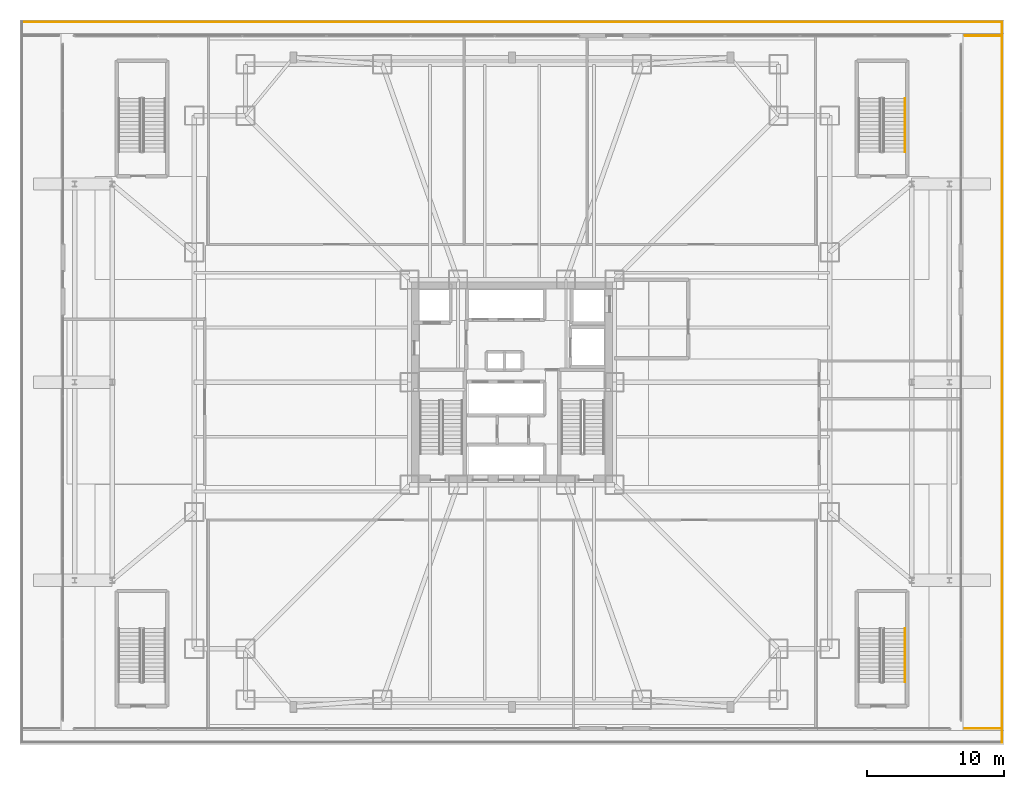
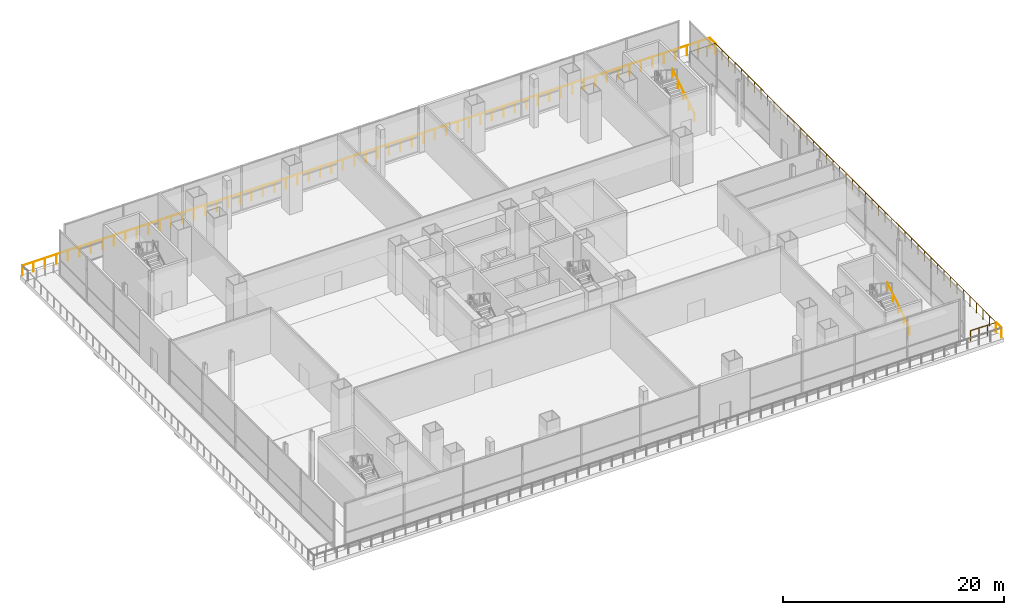
# One storey, part 36 of 36: 8 railings.
"""IFC4 building model written with IfcOpenShell, lengths in metres."""

from ifc_helpers import new_model, si_unit, direction, frame, origin, origin_2d, place, context, subcontext, project, spatial, circle, extrude, material, type_object, element, save


model = new_model("IFC4")

# Units and contexts
model_context = context("Model", 3, precision=1e-05, world=origin(), true_north=direction((0.0, 1.0)))
body_context = subcontext(model_context, "Body", "Model", "MODEL_VIEW")
ifc_project = project(units=[si_unit("LENGTHUNIT", "METRE"), si_unit("AREAUNIT", "SQUARE_METRE"), si_unit("VOLUMEUNIT", "CUBIC_METRE"), si_unit("PLANEANGLEUNIT", "RADIAN"), si_unit("MASSUNIT", "GRAM", prefix="KILO")], contexts=[model_context])

# Site, building, storey
site_placement = place(None, origin())
site = spatial("IfcSite", under=ifc_project, at=site_placement, CompositionType="ELEMENT")
building_placement = place(site_placement, origin())
building = spatial("IfcBuilding", under=site, at=building_placement, Name="Trevonay Congress Spire", CompositionType="ELEMENT")
storey_placement = place(building_placement, frame((0.0, 0.0, 16.199951171875)))
storey = spatial("IfcBuildingStorey", under=building, at=storey_placement, Name="L03", CompositionType="ELEMENT", Elevation=16.199951171875)

# Railings
ifc_material = material(Name="Pale Anodised Aluminium EN AW-6063-T6", Category="aluminium")
railing_type_1 = type_object("IfcRailingType", Name="RAL-EXT-GUARD-115", PredefinedType="GUARDRAIL", material=ifc_material)
railing_1_placement = place(storey_placement, frame((33.14990234375, -25.35009765625, 0.0)))
element("IfcRailing", 1, at=railing_1_placement, inside=storey, type_object=railing_type_1, Name="L03 perimeter safety guard GRD-L03-TER-E-1", PredefinedType="GUARDRAIL", context=body_context, shape_type="SweptSolid", body=[
    extrude(circle(Radius=0.02392578125, at=origin_2d()), frame((0.0, 0.0, 1.1259765625), z_axis=(1.0, 0.0, 0.0), x_axis=(0.0, 1.0, 0.0)), (0.0, 0.0, 1.0), 2.7001953125),
    extrude(circle(Radius=0.02099609375, at=origin_2d()), origin(), (0.0, 0.0, 1.0), 1.101806640625),
    extrude(circle(Radius=0.02099609375, at=origin_2d()), frame((0.900146484375, 0.0, 0.0)), (0.0, 0.0, 1.0), 1.101806640625),
    extrude(circle(Radius=0.02099609375, at=origin_2d()), frame((1.800048828125, 0.0, 0.0)), (0.0, 0.0, 1.0), 1.101806640625),
    extrude(circle(Radius=0.02099609375, at=origin_2d()), frame((2.7001953125, 0.0, 0.0)), (0.0, 0.0, 1.0), 1.101806640625),
])
railing_2_placement = place(storey_placement, frame((35.85009765625, -25.35009765625, 0.0)))
element("IfcRailing", 2, at=railing_2_placement, inside=storey, type_object=railing_type_1, Name="L03 perimeter safety guard GRD-L03-TER-E-2", PredefinedType="GUARDRAIL", context=body_context, shape_type="SweptSolid", body=[
    extrude(circle(Radius=0.02392578125, at=origin_2d()), frame((0.0, 0.0, 1.1259765625), z_axis=(0.0, 1.0, 0.0), x_axis=(-1.0, 0.0, 0.0)), (0.0, 0.0, 1.0), 50.7001953125),
    extrude(circle(Radius=0.02099609375, at=origin_2d()), origin(), (0.0, 0.0, 1.0), 1.101806640625),
    extrude(circle(Radius=0.02099609375, at=origin_2d()), frame((0.0, 1.178955078125, 0.0)), (0.0, 0.0, 1.0), 1.101806640625),
    extrude(circle(Radius=0.02099609375, at=origin_2d()), frame((0.0, 2.358154296875, 0.0)), (0.0, 0.0, 1.0), 1.101806640625),
    extrude(circle(Radius=0.02099609375, at=origin_2d()), frame((0.0, 3.537109375, 0.0)), (0.0, 0.0, 1.0), 1.101806640625),
    extrude(circle(Radius=0.02099609375, at=origin_2d()), frame((0.0, 4.71630859375, 0.0)), (0.0, 0.0, 1.0), 1.101806640625),
    extrude(circle(Radius=0.02099609375, at=origin_2d()), frame((0.0, 5.895263671875, 0.0)), (0.0, 0.0, 1.0), 1.101806640625),
    extrude(circle(Radius=0.02099609375, at=origin_2d()), frame((0.0, 7.074462890625, 0.0)), (0.0, 0.0, 1.0), 1.101806640625),
    extrude(circle(Radius=0.02099609375, at=origin_2d()), frame((0.0, 8.25341796875, 0.0)), (0.0, 0.0, 1.0), 1.101806640625),
    extrude(circle(Radius=0.02099609375, at=origin_2d()), frame((0.0, 9.4326171875, 0.0)), (0.0, 0.0, 1.0), 1.101806640625),
    extrude(circle(Radius=0.02099609375, at=origin_2d()), frame((0.0, 10.611572265625, 0.0)), (0.0, 0.0, 1.0), 1.101806640625),
    extrude(circle(Radius=0.02099609375, at=origin_2d()), frame((0.0, 11.790771484375, 0.0)), (0.0, 0.0, 1.0), 1.101806640625),
    extrude(circle(Radius=0.02099609375, at=origin_2d()), frame((0.0, 12.9697265625, 0.0)), (0.0, 0.0, 1.0), 1.101806640625),
    extrude(circle(Radius=0.02099609375, at=origin_2d()), frame((0.0, 14.14892578125, 0.0)), (0.0, 0.0, 1.0), 1.101806640625),
    extrude(circle(Radius=0.02099609375, at=origin_2d()), frame((0.0, 15.327880859375, 0.0)), (0.0, 0.0, 1.0), 1.101806640625),
    extrude(circle(Radius=0.02099609375, at=origin_2d()), frame((0.0, 16.507080078125, 0.0)), (0.0, 0.0, 1.0), 1.101806640625),
    extrude(circle(Radius=0.02099609375, at=origin_2d()), frame((0.0, 17.68603515625, 0.0)), (0.0, 0.0, 1.0), 1.101806640625),
    extrude(circle(Radius=0.02099609375, at=origin_2d()), frame((0.0, 18.865234375, 0.0)), (0.0, 0.0, 1.0), 1.101806640625),
    extrude(circle(Radius=0.02099609375, at=origin_2d()), frame((0.0, 20.044189453125, 0.0)), (0.0, 0.0, 1.0), 1.101806640625),
    extrude(circle(Radius=0.02099609375, at=origin_2d()), frame((0.0, 21.223388671875, 0.0)), (0.0, 0.0, 1.0), 1.101806640625),
    extrude(circle(Radius=0.02099609375, at=origin_2d()), frame((0.0, 22.40234375, 0.0)), (0.0, 0.0, 1.0), 1.101806640625),
    extrude(circle(Radius=0.02099609375, at=origin_2d()), frame((0.0, 23.58154296875, 0.0)), (0.0, 0.0, 1.0), 1.101806640625),
    extrude(circle(Radius=0.02099609375, at=origin_2d()), frame((0.0, 24.760498046875, 0.0)), (0.0, 0.0, 1.0), 1.101806640625),
    extrude(circle(Radius=0.02099609375, at=origin_2d()), frame((0.0, 25.939697265625, 0.0)), (0.0, 0.0, 1.0), 1.101806640625),
    extrude(circle(Radius=0.02099609375, at=origin_2d()), frame((0.0, 27.11865234375, 0.0)), (0.0, 0.0, 1.0), 1.101806640625),
    extrude(circle(Radius=0.02099609375, at=origin_2d()), frame((0.0, 28.2978515625, 0.0)), (0.0, 0.0, 1.0), 1.101806640625),
    extrude(circle(Radius=0.02099609375, at=origin_2d()), frame((0.0, 29.476806640625, 0.0)), (0.0, 0.0, 1.0), 1.101806640625),
    extrude(circle(Radius=0.02099609375, at=origin_2d()), frame((0.0, 30.656005859375, 0.0)), (0.0, 0.0, 1.0), 1.101806640625),
    extrude(circle(Radius=0.02099609375, at=origin_2d()), frame((0.0, 31.8349609375, 0.0)), (0.0, 0.0, 1.0), 1.101806640625),
    extrude(circle(Radius=0.02099609375, at=origin_2d()), frame((0.0, 33.01416015625, 0.0)), (0.0, 0.0, 1.0), 1.101806640625),
    extrude(circle(Radius=0.02099609375, at=origin_2d()), frame((0.0, 34.193115234375, 0.0)), (0.0, 0.0, 1.0), 1.101806640625),
    extrude(circle(Radius=0.02099609375, at=origin_2d()), frame((0.0, 35.372314453125, 0.0)), (0.0, 0.0, 1.0), 1.101806640625),
    extrude(circle(Radius=0.02099609375, at=origin_2d()), frame((0.0, 36.55126953125, 0.0)), (0.0, 0.0, 1.0), 1.101806640625),
    extrude(circle(Radius=0.02099609375, at=origin_2d()), frame((0.0, 37.73046875, 0.0)), (0.0, 0.0, 1.0), 1.101806640625),
    extrude(circle(Radius=0.02099609375, at=origin_2d()), frame((0.0, 38.909423828125, 0.0)), (0.0, 0.0, 1.0), 1.101806640625),
    extrude(circle(Radius=0.02099609375, at=origin_2d()), frame((0.0, 40.088623046875, 0.0)), (0.0, 0.0, 1.0), 1.101806640625),
    extrude(circle(Radius=0.02099609375, at=origin_2d()), frame((0.0, 41.267578125, 0.0)), (0.0, 0.0, 1.0), 1.101806640625),
    extrude(circle(Radius=0.02099609375, at=origin_2d()), frame((0.0, 42.44677734375, 0.0)), (0.0, 0.0, 1.0), 1.101806640625),
    extrude(circle(Radius=0.02099609375, at=origin_2d()), frame((0.0, 43.625732421875, 0.0)), (0.0, 0.0, 1.0), 1.101806640625),
    extrude(circle(Radius=0.02099609375, at=origin_2d()), frame((0.0, 44.804931640625, 0.0)), (0.0, 0.0, 1.0), 1.101806640625),
    extrude(circle(Radius=0.02099609375, at=origin_2d()), frame((0.0, 45.98388671875, 0.0)), (0.0, 0.0, 1.0), 1.101806640625),
    extrude(circle(Radius=0.02099609375, at=origin_2d()), frame((0.0, 47.1630859375, 0.0)), (0.0, 0.0, 1.0), 1.101806640625),
    extrude(circle(Radius=0.02099609375, at=origin_2d()), frame((0.0, 48.342041015625, 0.0)), (0.0, 0.0, 1.0), 1.101806640625),
    extrude(circle(Radius=0.02099609375, at=origin_2d()), frame((0.0, 49.521240234375, 0.0)), (0.0, 0.0, 1.0), 1.101806640625),
    extrude(circle(Radius=0.02099609375, at=origin_2d()), frame((0.0, 50.7001953125, 0.0)), (0.0, 0.0, 1.0), 1.101806640625),
])
railing_3_placement = place(storey_placement, frame((35.85009765625, 25.35009765625, 0.0)))
element("IfcRailing", 3, at=railing_3_placement, inside=storey, type_object=railing_type_1, Name="L03 perimeter safety guard GRD-L03-TER-E-3", PredefinedType="GUARDRAIL", context=body_context, shape_type="SweptSolid", body=[
    extrude(circle(Radius=0.02392578125, at=origin_2d()), frame((0.0, 0.0, 1.1259765625), z_axis=(-1.0, 0.0, 0.0), x_axis=(0.0, -1.0, 0.0)), (0.0, 0.0, 1.0), 2.7001953125),
    extrude(circle(Radius=0.02099609375, at=origin_2d()), origin(), (0.0, 0.0, 1.0), 1.101806640625),
    extrude(circle(Radius=0.02099609375, at=origin_2d()), frame((-0.900146484375, 0.0, 0.0)), (0.0, 0.0, 1.0), 1.101806640625),
    extrude(circle(Radius=0.02099609375, at=origin_2d()), frame((-1.800048828125, 0.0, 0.0)), (0.0, 0.0, 1.0), 1.101806640625),
    extrude(circle(Radius=0.02099609375, at=origin_2d()), frame((-2.7001953125, 0.0, 0.0)), (0.0, 0.0, 1.0), 1.101806640625),
])
railing_4_placement = place(storey_placement, frame((35.85009765625, -26.35009765625, 0.0)))
element("IfcRailing", 4, at=railing_4_placement, inside=storey, type_object=railing_type_1, Name="L03 perimeter safety guard GRD-L03-TER-S-3", PredefinedType="GUARDRAIL", context=body_context, shape_type="SweptSolid", body=[
    extrude(circle(Radius=0.02392578125, at=origin_2d()), frame((0.0, 0.0, 1.1259765625), z_axis=(0.0, 1.0, 0.0), x_axis=(-1.0, 0.0, 0.0)), (0.0, 0.0, 1.0), 1.0),
    extrude(circle(Radius=0.02099609375, at=origin_2d()), origin(), (0.0, 0.0, 1.0), 1.101806640625),
    extrude(circle(Radius=0.02099609375, at=origin_2d()), frame((0.0, 1.0, 0.0)), (0.0, 0.0, 1.0), 1.101806640625),
])
railing_5_placement = place(storey_placement, frame((-35.85009765625, 26.35009765625, 0.0)))
element("IfcRailing", 5, at=railing_5_placement, inside=storey, type_object=railing_type_1, Name="L03 perimeter safety guard GRD-L03-TER-N-2", PredefinedType="GUARDRAIL", context=body_context, shape_type="SweptSolid", body=[
    extrude(circle(Radius=0.02392578125, at=origin_2d()), frame((0.0, 0.0, 1.1259765625), z_axis=(1.0, 0.0, 0.0), x_axis=(0.0, 1.0, 0.0)), (0.0, 0.0, 1.0), 71.7001953125),
    extrude(circle(Radius=0.02099609375, at=origin_2d()), origin(), (0.0, 0.0, 1.0), 1.101806640625),
    extrude(circle(Radius=0.02099609375, at=origin_2d()), frame((1.195068359375, 0.0, 0.0)), (0.0, 0.0, 1.0), 1.101806640625),
    extrude(circle(Radius=0.02099609375, at=origin_2d()), frame((2.389892578125, 0.0, 0.0)), (0.0, 0.0, 1.0), 1.101806640625),
    extrude(circle(Radius=0.02099609375, at=origin_2d()), frame((3.5849609375, 0.0, 0.0)), (0.0, 0.0, 1.0), 1.101806640625),
    extrude(circle(Radius=0.02099609375, at=origin_2d()), frame((4.780029296875, 0.0, 0.0)), (0.0, 0.0, 1.0), 1.101806640625),
    extrude(circle(Radius=0.02099609375, at=origin_2d()), frame((5.97509765625, 0.0, 0.0)), (0.0, 0.0, 1.0), 1.101806640625),
    extrude(circle(Radius=0.02099609375, at=origin_2d()), frame((7.169921875, 0.0, 0.0)), (0.0, 0.0, 1.0), 1.101806640625),
    extrude(circle(Radius=0.02099609375, at=origin_2d()), frame((8.364990234375, 0.0, 0.0)), (0.0, 0.0, 1.0), 1.101806640625),
    extrude(circle(Radius=0.02099609375, at=origin_2d()), frame((9.56005859375, 0.0, 0.0)), (0.0, 0.0, 1.0), 1.101806640625),
    extrude(circle(Radius=0.02099609375, at=origin_2d()), frame((10.755126953125, 0.0, 0.0)), (0.0, 0.0, 1.0), 1.101806640625),
    extrude(circle(Radius=0.02099609375, at=origin_2d()), frame((11.949951171875, 0.0, 0.0)), (0.0, 0.0, 1.0), 1.101806640625),
    extrude(circle(Radius=0.02099609375, at=origin_2d()), frame((13.14501953125, 0.0, 0.0)), (0.0, 0.0, 1.0), 1.101806640625),
    extrude(circle(Radius=0.02099609375, at=origin_2d()), frame((14.340087890625, 0.0, 0.0)), (0.0, 0.0, 1.0), 1.101806640625),
    extrude(circle(Radius=0.02099609375, at=origin_2d()), frame((15.53515625, 0.0, 0.0)), (0.0, 0.0, 1.0), 1.101806640625),
    extrude(circle(Radius=0.02099609375, at=origin_2d()), frame((16.72998046875, 0.0, 0.0)), (0.0, 0.0, 1.0), 1.101806640625),
    extrude(circle(Radius=0.02099609375, at=origin_2d()), frame((17.925048828125, 0.0, 0.0)), (0.0, 0.0, 1.0), 1.101806640625),
    extrude(circle(Radius=0.02099609375, at=origin_2d()), frame((19.1201171875, 0.0, 0.0)), (0.0, 0.0, 1.0), 1.101806640625),
    extrude(circle(Radius=0.02099609375, at=origin_2d()), frame((20.31494140625, 0.0, 0.0)), (0.0, 0.0, 1.0), 1.101806640625),
    extrude(circle(Radius=0.02099609375, at=origin_2d()), frame((21.510009765625, 0.0, 0.0)), (0.0, 0.0, 1.0), 1.101806640625),
    extrude(circle(Radius=0.02099609375, at=origin_2d()), frame((22.705078125, 0.0, 0.0)), (0.0, 0.0, 1.0), 1.101806640625),
    extrude(circle(Radius=0.02099609375, at=origin_2d()), frame((23.900146484375, 0.0, 0.0)), (0.0, 0.0, 1.0), 1.101806640625),
    extrude(circle(Radius=0.02099609375, at=origin_2d()), frame((25.094970703125, 0.0, 0.0)), (0.0, 0.0, 1.0), 1.101806640625),
    extrude(circle(Radius=0.02099609375, at=origin_2d()), frame((26.2900390625, 0.0, 0.0)), (0.0, 0.0, 1.0), 1.101806640625),
    extrude(circle(Radius=0.02099609375, at=origin_2d()), frame((27.485107421875, 0.0, 0.0)), (0.0, 0.0, 1.0), 1.101806640625),
    extrude(circle(Radius=0.02099609375, at=origin_2d()), frame((28.68017578125, 0.0, 0.0)), (0.0, 0.0, 1.0), 1.101806640625),
    extrude(circle(Radius=0.02099609375, at=origin_2d()), frame((29.875, 0.0, 0.0)), (0.0, 0.0, 1.0), 1.101806640625),
    extrude(circle(Radius=0.02099609375, at=origin_2d()), frame((31.070068359375, 0.0, 0.0)), (0.0, 0.0, 1.0), 1.101806640625),
    extrude(circle(Radius=0.02099609375, at=origin_2d()), frame((32.26513671875, 0.0, 0.0)), (0.0, 0.0, 1.0), 1.101806640625),
    extrude(circle(Radius=0.02099609375, at=origin_2d()), frame((33.460205078125, 0.0, 0.0)), (0.0, 0.0, 1.0), 1.101806640625),
    extrude(circle(Radius=0.02099609375, at=origin_2d()), frame((34.655029296875, 0.0, 0.0)), (0.0, 0.0, 1.0), 1.101806640625),
    extrude(circle(Radius=0.02099609375, at=origin_2d()), frame((35.85009765625, 0.0, 0.0)), (0.0, 0.0, 1.0), 1.101806640625),
    extrude(circle(Radius=0.02099609375, at=origin_2d()), frame((37.045166015625, 0.0, 0.0)), (0.0, 0.0, 1.0), 1.101806640625),
    extrude(circle(Radius=0.02099609375, at=origin_2d()), frame((38.239990234375, 0.0, 0.0)), (0.0, 0.0, 1.0), 1.101806640625),
    extrude(circle(Radius=0.02099609375, at=origin_2d()), frame((39.43505859375, 0.0, 0.0)), (0.0, 0.0, 1.0), 1.101806640625),
    extrude(circle(Radius=0.02099609375, at=origin_2d()), frame((40.630126953125, 0.0, 0.0)), (0.0, 0.0, 1.0), 1.101806640625),
    extrude(circle(Radius=0.02099609375, at=origin_2d()), frame((41.8251953125, 0.0, 0.0)), (0.0, 0.0, 1.0), 1.101806640625),
    extrude(circle(Radius=0.02099609375, at=origin_2d()), frame((43.02001953125, 0.0, 0.0)), (0.0, 0.0, 1.0), 1.101806640625),
    extrude(circle(Radius=0.02099609375, at=origin_2d()), frame((44.215087890625, 0.0, 0.0)), (0.0, 0.0, 1.0), 1.101806640625),
    extrude(circle(Radius=0.02099609375, at=origin_2d()), frame((45.41015625, 0.0, 0.0)), (0.0, 0.0, 1.0), 1.101806640625),
    extrude(circle(Radius=0.02099609375, at=origin_2d()), frame((46.605224609375, 0.0, 0.0)), (0.0, 0.0, 1.0), 1.101806640625),
    extrude(circle(Radius=0.02099609375, at=origin_2d()), frame((47.800048828125, 0.0, 0.0)), (0.0, 0.0, 1.0), 1.101806640625),
    extrude(circle(Radius=0.02099609375, at=origin_2d()), frame((48.9951171875, 0.0, 0.0)), (0.0, 0.0, 1.0), 1.101806640625),
    extrude(circle(Radius=0.02099609375, at=origin_2d()), frame((50.190185546875, 0.0, 0.0)), (0.0, 0.0, 1.0), 1.101806640625),
    extrude(circle(Radius=0.02099609375, at=origin_2d()), frame((51.38525390625, 0.0, 0.0)), (0.0, 0.0, 1.0), 1.101806640625),
    extrude(circle(Radius=0.02099609375, at=origin_2d()), frame((52.580078125, 0.0, 0.0)), (0.0, 0.0, 1.0), 1.101806640625),
    extrude(circle(Radius=0.02099609375, at=origin_2d()), frame((53.775146484375, 0.0, 0.0)), (0.0, 0.0, 1.0), 1.101806640625),
    extrude(circle(Radius=0.02099609375, at=origin_2d()), frame((54.97021484375, 0.0, 0.0)), (0.0, 0.0, 1.0), 1.101806640625),
    extrude(circle(Radius=0.02099609375, at=origin_2d()), frame((56.1650390625, 0.0, 0.0)), (0.0, 0.0, 1.0), 1.101806640625),
    extrude(circle(Radius=0.02099609375, at=origin_2d()), frame((57.360107421875, 0.0, 0.0)), (0.0, 0.0, 1.0), 1.101806640625),
    extrude(circle(Radius=0.02099609375, at=origin_2d()), frame((58.55517578125, 0.0, 0.0)), (0.0, 0.0, 1.0), 1.101806640625),
    extrude(circle(Radius=0.02099609375, at=origin_2d()), frame((59.750244140625, 0.0, 0.0)), (0.0, 0.0, 1.0), 1.101806640625),
    extrude(circle(Radius=0.02099609375, at=origin_2d()), frame((60.945068359375, 0.0, 0.0)), (0.0, 0.0, 1.0), 1.101806640625),
    extrude(circle(Radius=0.02099609375, at=origin_2d()), frame((62.14013671875, 0.0, 0.0)), (0.0, 0.0, 1.0), 1.101806640625),
    extrude(circle(Radius=0.02099609375, at=origin_2d()), frame((63.335205078125, 0.0, 0.0)), (0.0, 0.0, 1.0), 1.101806640625),
    extrude(circle(Radius=0.02099609375, at=origin_2d()), frame((64.5302734375, 0.0, 0.0)), (0.0, 0.0, 1.0), 1.101806640625),
    extrude(circle(Radius=0.02099609375, at=origin_2d()), frame((65.72509765625, 0.0, 0.0)), (0.0, 0.0, 1.0), 1.101806640625),
    extrude(circle(Radius=0.02099609375, at=origin_2d()), frame((66.920166015625, 0.0, 0.0)), (0.0, 0.0, 1.0), 1.101806640625),
    extrude(circle(Radius=0.02099609375, at=origin_2d()), frame((68.115234375, 0.0, 0.0)), (0.0, 0.0, 1.0), 1.101806640625),
    extrude(circle(Radius=0.02099609375, at=origin_2d()), frame((69.310302734375, 0.0, 0.0)), (0.0, 0.0, 1.0), 1.101806640625),
    extrude(circle(Radius=0.02099609375, at=origin_2d()), frame((70.505126953125, 0.0, 0.0)), (0.0, 0.0, 1.0), 1.101806640625),
    extrude(circle(Radius=0.02099609375, at=origin_2d()), frame((71.7001953125, 0.0, 0.0)), (0.0, 0.0, 1.0), 1.101806640625),
])
railing_6_placement = place(storey_placement, frame((35.85009765625, 26.35009765625, 0.0)))
element("IfcRailing", 6, at=railing_6_placement, inside=storey, type_object=railing_type_1, Name="L03 perimeter safety guard GRD-L03-TER-N-3", PredefinedType="GUARDRAIL", context=body_context, shape_type="SweptSolid", body=[
    extrude(circle(Radius=0.02392578125, at=origin_2d()), frame((0.0, 0.0, 1.1259765625), z_axis=(0.0, -1.0, 0.0), x_axis=(1.0, 0.0, 0.0)), (0.0, 0.0, 1.0), 1.0),
    extrude(circle(Radius=0.02099609375, at=origin_2d()), origin(), (0.0, 0.0, 1.0), 1.101806640625),
    extrude(circle(Radius=0.02099609375, at=origin_2d()), frame((0.0, -1.0, 0.0)), (0.0, 0.0, 1.0), 1.101806640625),
])
railing_type_2 = type_object("IfcRailingType", Name="RAL-STAIR-HANDRAIL", PredefinedType="HANDRAIL", material=ifc_material)
for number, where, name in (
    (7, (28.75, -21.949951171875, 0.179931640625), "L03 ST-4 stair handrail 1"),
    (8, (28.75, 16.85009765625, 0.179931640625), "L03 ST-6 stair handrail 1"),
):
    element("IfcRailing", number, at=place(storey_placement, frame(where)), inside=storey, type_object=railing_type_2, Name=name, PredefinedType="HANDRAIL", context=body_context, shape_type="SweptSolid", body=[
        extrude(circle(Radius=0.02392578125, at=origin_2d()), frame((0.0, 0.0, 0.8759765625), z_axis=(0.0, 0.841171666519, 0.540768182723), x_axis=(-1.0, 0.0, 0.0)), (0.0, 0.0, 1.0), 4.66015625),
        extrude(circle(Radius=0.02099609375, at=origin_2d()), origin(), (0.0, 0.0, 1.0), 0.851806640625),
        extrude(circle(Radius=0.02099609375, at=origin_2d()), frame((0.0, 0.97998046875, 0.6298828125)), (0.0, 0.0, 1.0), 0.851806640625),
        extrude(circle(Radius=0.02099609375, at=origin_2d()), frame((0.0, 1.9599609375, 1.260009765625)), (0.0, 0.0, 1.0), 0.851806640625),
        extrude(circle(Radius=0.02099609375, at=origin_2d()), frame((0.0, 2.93994140625, 1.89013671875)), (0.0, 0.0, 1.0), 0.851806640625),
        extrude(circle(Radius=0.02099609375, at=origin_2d()), frame((0.0, 3.919921875, 2.52001953125)), (0.0, 0.0, 1.0), 0.851806640625),
    ])

save(model, "model.ifc")
